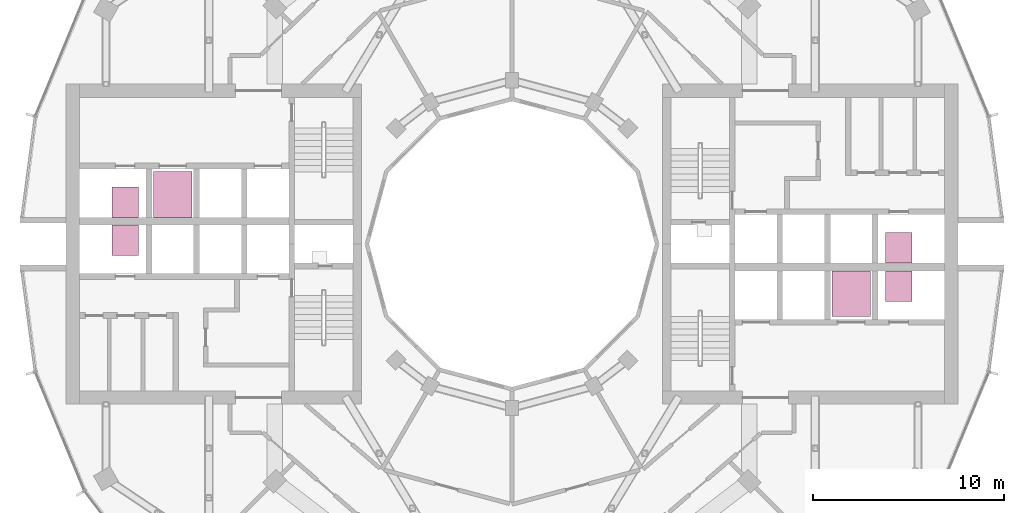
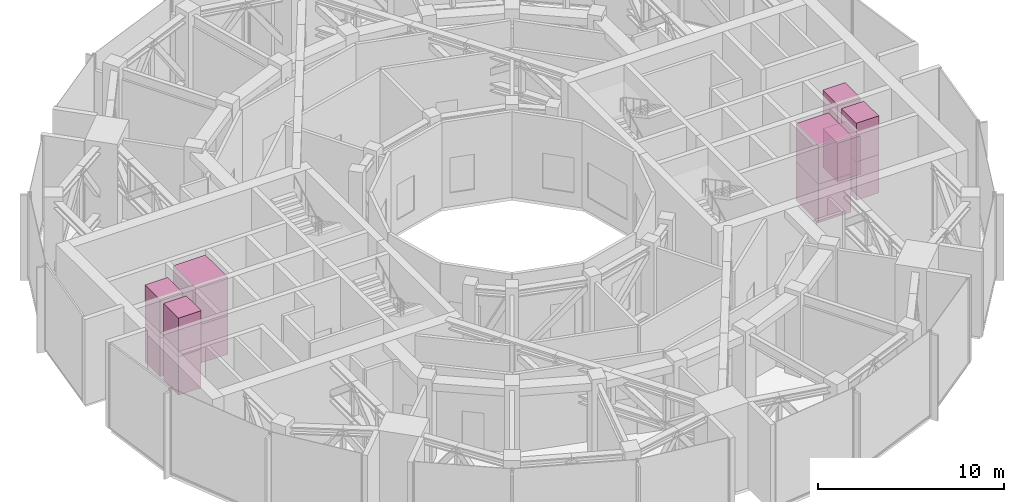
# One storey, part 18 of 18: 12 transport elements.
"""IFC4 building model written with IfcOpenShell, lengths in metres."""

from ifc_helpers import new_model, si_unit, direction, frame, origin, origin_2d, place, context, subcontext, project, spatial, rectangle, extrude, material, type_object, element, save


model = new_model("IFC4")

# Units and contexts
model_context = context("Model", 3, precision=1e-05, world=origin(), true_north=direction((0.0, 1.0)))
body_context = subcontext(model_context, "Body", "Model", "MODEL_VIEW")
ifc_project = project(units=[si_unit("LENGTHUNIT", "METRE"), si_unit("AREAUNIT", "SQUARE_METRE"), si_unit("VOLUMEUNIT", "CUBIC_METRE"), si_unit("PLANEANGLEUNIT", "RADIAN"), si_unit("MASSUNIT", "GRAM", prefix="KILO")], contexts=[model_context])

# Site, building, storey
site_placement = place(None, origin())
site = spatial("IfcSite", under=ifc_project, at=site_placement, CompositionType="ELEMENT")
building_placement = place(site_placement, origin())
building = spatial("IfcBuilding", under=site, at=building_placement, Name="Torre Brocal", CompositionType="ELEMENT")
storey_placement = place(building_placement, frame((0.0, 0.0, 109.0)))
storey = spatial("IfcBuildingStorey", under=building, at=storey_placement, Name="L25", CompositionType="ELEMENT", Elevation=109.0)

# Transport elements
ifc_material_1 = material(Name="Stainless steel AISI 316", Category="steel")
transport_element_type_1 = type_object("IfcTransportElementType", Name="PASSENGER LIFT 2000", PredefinedType="ELEVATOR", material=ifc_material_1)
for number, where, z_axis, x_axis, name in (
    (1, (97.800048828125, 72.39990234375, 0.0), (0.0, 0.0, 1.0), (1.0, 0.0, 0.0), "LOW RISE LIFT E-LR2"),
    (2, (97.800048828125, 72.39990234375, 2.525146484375), (0.0, 0.0, 1.0), (1.0, 0.0, 0.0), "LOW RISE LIFT E-LR2"),
    (3, (62.199951171875, 77.60009765625, 0.0), (0.0, 0.0, 1.0), (1.0, 0.0, 0.0), "LOW RISE LIFT W-LR2"),
    (4, (62.199951171875, 77.60009765625, 2.525146484375), (0.0, 0.0, 1.0), (1.0, 0.0, 0.0), "LOW RISE LIFT W-LR2"),
):
    element("IfcTransportElement", number, at=place(storey_placement, frame(where, z_axis=z_axis, x_axis=x_axis)), inside=storey, type_object=transport_element_type_1, Name=name, PredefinedType="ELEVATOR", context=body_context, shape_type="SweptSolid", body=[
        extrude(rectangle(XDim=2.0, YDim=2.39990234375, at=origin_2d()), origin(), (0.0, 0.0, 1.0), 2.52490234375),
    ])
ifc_material_2 = material(Name="Stainless steel AISI 316", Category="steel")
transport_element_type_2 = type_object("IfcTransportElementType", Name="PASSENGER LIFT 900", PredefinedType="ELEVATOR", material=ifc_material_2)
for number, where, z_axis, x_axis, name in (
    (5, (100.300048828125, 74.800048828125, 0.0), (0.0, 0.0, 1.0), (1.0, 0.0, 0.0), "LOW RISE LIFT E-LR1"),
    (6, (100.300048828125, 74.800048828125, 2.525146484375), (0.0, 0.0, 1.0), (1.0, 0.0, 0.0), "LOW RISE LIFT E-LR1"),
    (7, (100.300048828125, 72.800048828125, 0.0), (0.0, 0.0, 1.0), (1.0, 0.0, 0.0), "LOW RISE LIFT E-LR3"),
    (8, (100.300048828125, 72.800048828125, 2.525146484375), (0.0, 0.0, 1.0), (1.0, 0.0, 0.0), "LOW RISE LIFT E-LR3"),
    (9, (59.699951171875, 75.199951171875, 0.0), (0.0, 0.0, 1.0), (1.0, 0.0, 0.0), "LOW RISE LIFT W-LR1"),
    (10, (59.699951171875, 75.199951171875, 2.525146484375), (0.0, 0.0, 1.0), (1.0, 0.0, 0.0), "LOW RISE LIFT W-LR1"),
    (11, (59.699951171875, 77.199951171875, 0.0), (0.0, 0.0, 1.0), (1.0, 0.0, 0.0), "LOW RISE LIFT W-LR3"),
    (12, (59.699951171875, 77.199951171875, 2.525146484375), (0.0, 0.0, 1.0), (1.0, 0.0, 0.0), "LOW RISE LIFT W-LR3"),
):
    element("IfcTransportElement", number, at=place(storey_placement, frame(where, z_axis=z_axis, x_axis=x_axis)), inside=storey, type_object=transport_element_type_2, Name=name, PredefinedType="ELEVATOR", context=body_context, shape_type="SweptSolid", body=[
        extrude(rectangle(XDim=1.39990234375, YDim=1.60009765625, at=origin_2d()), origin(), (0.0, 0.0, 1.0), 2.52490234375),
    ])

save(model, "model.ifc")
